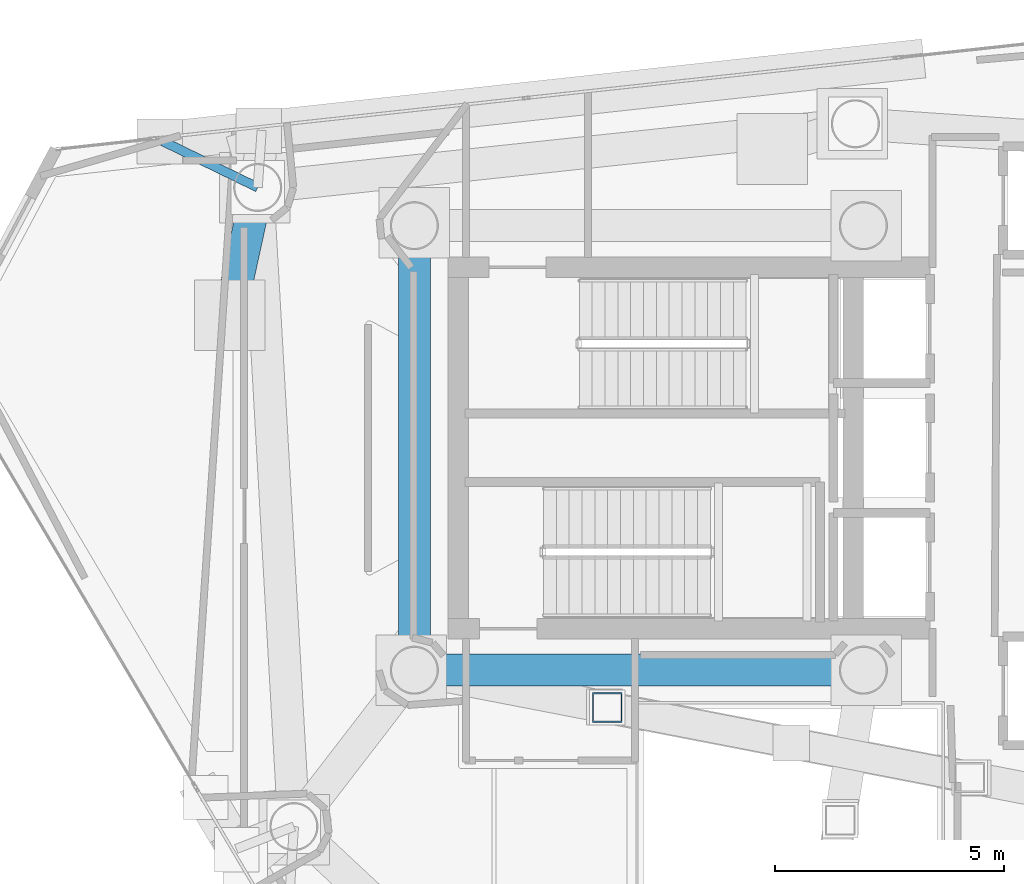
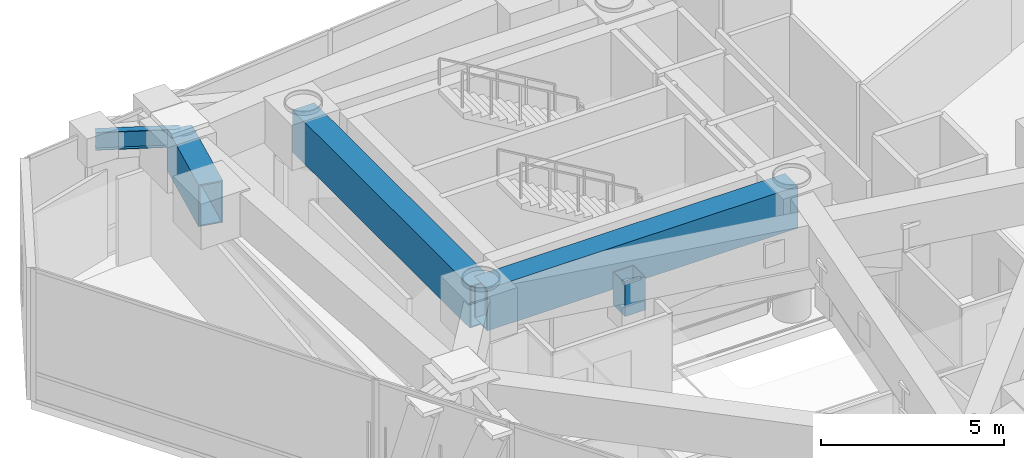
# One storey, part 8 of 21: 4 beams, 1 member.
"""IFC4 building model written with IfcOpenShell, lengths in metres."""

from ifc_helpers import new_model, si_unit, direction, frame, origin, origin_2d, place, context, subcontext, project, spatial, hollow_rectangle, i_section, extrude, material, material_profile, profile_set, type_object, element, save


model = new_model("IFC4")

# Units and contexts
model_context = context("Model", 3, precision=1e-05, world=origin(), true_north=direction((0.0, 1.0)))
body_context = subcontext(model_context, "Body", "Model", "MODEL_VIEW")
ifc_project = project(units=[si_unit("LENGTHUNIT", "METRE"), si_unit("AREAUNIT", "SQUARE_METRE"), si_unit("VOLUMEUNIT", "CUBIC_METRE"), si_unit("PLANEANGLEUNIT", "RADIAN"), si_unit("MASSUNIT", "GRAM", prefix="KILO")], contexts=[model_context])

# Site, building, storey
site_placement = place(None, origin())
site = spatial("IfcSite", under=ifc_project, at=site_placement, CompositionType="ELEMENT")
building_placement = place(site_placement, origin())
building = spatial("IfcBuilding", under=site, at=building_placement, Name="Qianvela Tower", CompositionType="ELEMENT")
storey_placement = place(building_placement, frame((0.0, 0.0, 276.0)))
storey = spatial("IfcBuildingStorey", under=building, at=storey_placement, Name="L71", CompositionType="ELEMENT", Elevation=276.0)

# Beams
ifc_material_1 = material(Name="Steel Q355B", Category="steel")
ifc_material_profile_1 = material_profile(ifc_material_1, i_section(OverallWidth=0.199951171875, OverallDepth=0.60009765625, WebThickness=0.010986328125, FlangeThickness=0.01708984375, at=origin_2d()), Name="HN600x200x11x17")
ifc_profile_set_1 = profile_set([ifc_material_profile_1], Name="Steel Q355B")
beam_type_1 = type_object("IfcBeamType", Name="BM-HN600-GIRD", PredefinedType="BEAM", material=ifc_profile_set_1)
beam_1_placement = place(storey_placement, frame((25.181884765625, 34.384033203125, 4.117919921875), z_axis=(-0.899217102351, 0.437502688951, 0.0), x_axis=(-0.437502688951, -0.899217102351, 0.0)))
element("IfcBeam", 1, at=beam_1_placement, inside=storey, type_object=beam_type_1, Name="L71 Mega-Brace Column Tie Bracket F1-2", PredefinedType="BEAM", context=body_context, shape_type="SweptSolid", body=[
    extrude(i_section(OverallWidth=0.199951171875, OverallDepth=0.60009765625, WebThickness=0.010986328125, FlangeThickness=0.01708984375, at=origin_2d()), origin(), (0.0, 0.0, 1.0), 2.30908203125),
])
ifc_material_2 = material(Name="Steel Q420GJC", Category="steel")
ifc_material_profile_2 = material_profile(ifc_material_2, hollow_rectangle(XDim=0.699951171875, YDim=1.39990234375, WallThickness=0.0400390625, at=origin_2d()), Name="TG-BOX-1400x700x40")
ifc_profile_set_2 = profile_set([ifc_material_profile_2], Name="Steel Q420GJC")
beam_type_2 = type_object("IfcBeamType", Name="BM-TG-RAD-1400", PredefinedType="BEAM", material=ifc_profile_set_2)
beam_2_placement = place(storey_placement, frame((28.60009765625, 23.85009765625, 3.718017578125), z_axis=(1.0, 0.0, 0.0), x_axis=(0.0, 1.0, 0.0)))
element("IfcBeam", 2, at=beam_2_placement, inside=storey, type_object=beam_type_2, Name="L71 Core Ring Transfer Girder 1", PredefinedType="BEAM", context=body_context, shape_type="SweptSolid", body=[
    extrude(hollow_rectangle(XDim=0.699951171875, YDim=1.39990234375, WallThickness=0.0400390625, at=origin_2d()), origin(), (0.0, 0.0, 1.0), 9.7998046875),
])
beam_3_placement = place(storey_placement, frame((28.60009765625, 33.550048828125, 3.718017578125), z_axis=(0.0, -1.0, 0.0), x_axis=(1.0, 0.0, 0.0)))
element("IfcBeam", 3, at=beam_3_placement, inside=storey, type_object=beam_type_2, Name="L71 Core Ring Transfer Girder 2", PredefinedType="BEAM", context=body_context, shape_type="SweptSolid", body=[
    extrude(hollow_rectangle(XDim=0.699951171875, YDim=1.39990234375, WallThickness=0.0400390625, at=origin_2d()), origin(), (0.0, 0.0, 1.0), 9.699951171875),
])
ifc_material_3 = material(Name="Steel Q420GJC", Category="steel")
ifc_material_profile_3 = material_profile(ifc_material_3, hollow_rectangle(XDim=0.699951171875, YDim=1.39990234375, WallThickness=0.0400390625, at=origin_2d()), Name="TG-BOX-1400x700x40")
ifc_profile_set_3 = profile_set([ifc_material_profile_3], Name="Steel Q420GJC")
beam_type_3 = type_object("IfcBeamType", Name="BM-TG-STEP-1400", PredefinedType="BEAM", material=ifc_profile_set_3)
beam_4_placement = place(storey_placement, frame((25.181884765625, 34.384033203125, 3.718017578125), z_axis=(-0.213615839854, -0.976917741145, 0.0), x_axis=(0.976917741145, -0.213615839854, 0.0)))
element("IfcBeam", 4, at=beam_4_placement, inside=storey, type_object=beam_type_3, Name="L71 Zone-Step Transfer Girder 3", PredefinedType="BEAM", context=body_context, shape_type="SweptSolid", body=[
    extrude(hollow_rectangle(XDim=0.699951171875, YDim=1.39990234375, WallThickness=0.0400390625, at=origin_2d()), origin(), (0.0, 0.0, 1.0), 2.78515625),
])

# Member
ifc_material_4 = material(Name="Steel Q420GJC", Category="steel")
ifc_material_profile_4 = material_profile(ifc_material_4, hollow_rectangle(XDim=0.64990234375, YDim=0.64990234375, WallThickness=0.028076171875, at=origin_2d()), Name="OBOX-650x650x28")
ifc_profile_set_4 = profile_set([ifc_material_profile_4], Name="Steel Q420GJC")
member_type = type_object("IfcMemberType", Name="MBR-OUTRIG-650", PredefinedType="BRACE", material=ifc_profile_set_4)
member_placement = place(storey_placement, frame((32.80908203125, 23.037109375, 2.613037109375), z_axis=(0.0, 0.0, 1.0), x_axis=(1.0, 0.0, 0.0)))
element("IfcMember", 5, at=member_placement, inside=storey, type_object=member_type, Name="L71 Radial Outrigger Web Post 6A", PredefinedType="BRACE", context=body_context, shape_type="SweptSolid", body=[
    extrude(hollow_rectangle(XDim=0.64990234375, YDim=0.64990234375, WallThickness=0.028076171875, at=origin_2d()), origin(), (0.0, 0.0, 1.0), 1.10498046875),
])

save(model, "model.ifc")
